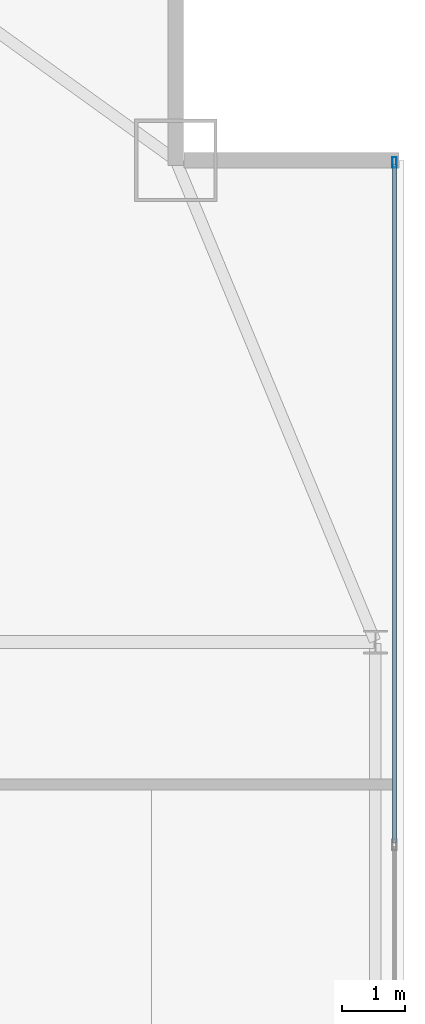
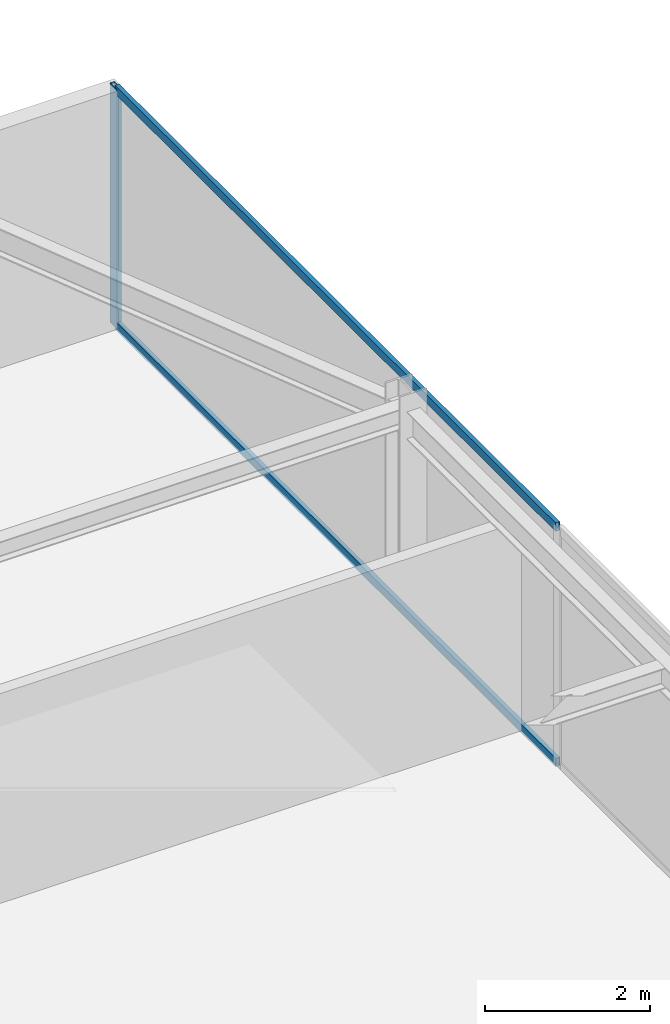
# One storey, part 22 of 31: 3 members, 1 element without a shape of its own.
"""IFC4 building model written with IfcOpenShell, lengths in metres."""

from ifc_helpers import new_model, si_unit, direction, frame, origin, origin_2d, place, context, subcontext, project, spatial, hollow_rectangle, extrude, source, transform, mapped, material, layer, layer_set, material_profile, profile_set, type_object, type_shapes, element, aggregate, save


model = new_model("IFC4")

# Units and contexts
model_context = context("Model", 3, precision=1e-05, world=origin(), true_north=direction((0.0, 1.0)))
body_context = subcontext(model_context, "Body", "Model", "MODEL_VIEW")
ifc_project = project(units=[si_unit("LENGTHUNIT", "METRE"), si_unit("AREAUNIT", "SQUARE_METRE"), si_unit("VOLUMEUNIT", "CUBIC_METRE"), si_unit("PLANEANGLEUNIT", "RADIAN"), si_unit("MASSUNIT", "GRAM", prefix="KILO")], contexts=[model_context])

# Site, building, storey
site_placement = place(None, origin())
site = spatial("IfcSite", under=ifc_project, at=site_placement, CompositionType="ELEMENT")
building_placement = place(site_placement, origin())
building = spatial("IfcBuilding", under=site, at=building_placement, Name="Varnel Quay Broadcast Tower", CompositionType="ELEMENT")
storey_placement = place(building_placement, frame((0.0, 0.0, 153.39990234375)))
storey = spatial("IfcBuildingStorey", under=building, at=storey_placement, Name="L37", CompositionType="ELEMENT", Elevation=153.39990234375)

# Curtain wall, members
ifc_material = material(Name="Anodised Bronze Aluminium 6063-T6", Category="aluminium")
ifc_layer = layer(ifc_material, 0.18994140625, Name="Anodised Bronze Aluminium 6063-T6")
ifc_layer_set = layer_set([ifc_layer], Name="Anodised Bronze Aluminium 6063-T6")
curtain_wall_type = type_object("IfcCurtainWallType", Name="CW_UpperTower", PredefinedType="NOTDEFINED", material=ifc_layer_set)
curtain_wall_placement = place(storey_placement, origin())
curtain_wall = element("IfcCurtainWall", 1, at=curtain_wall_placement, inside=storey, type_object=curtain_wall_type, Name="L37 East Unitised Curtain Wall", PredefinedType="NOTDEFINED")
ifc_material_profile_1 = material_profile(ifc_material, hollow_rectangle(XDim=0.06494140625, YDim=0.1650390625, WallThickness=0.00341796875, at=origin_2d()), Name="ALU65X165X3.5")
ifc_profile_set_1 = profile_set([ifc_material_profile_1], Name="Anodised Bronze Aluminium 6063-T6")
member_type_1 = type_object("IfcMemberType", Name="Mull_CWS-03", PredefinedType="MULLION", material=ifc_profile_set_1)
shared_shape_1 = source(origin(), body_context, "Body", "SweptSolid", [
    extrude(hollow_rectangle(XDim=0.06494140625, YDim=0.1650390625, WallThickness=0.00341796875, at=origin_2d()), origin(), (0.0, 0.0, 1.0), 3.550048828125),
])
type_shapes(member_type_1, [shared_shape_1])
member_1_placement = place(storey_placement, frame((60.85009765625, 43.16748046875, 0.0), z_axis=(0.0, 0.0, 1.0), x_axis=(-1.0, 0.0, 0.0)))
member_1 = element("IfcMember", 2, at=member_1_placement, type_object=member_type_1, Name="CWS-03 mullion 4", PredefinedType="MULLION", context=body_context, shape_type="MappedRepresentation", body=[
    mapped(shared_shape_1, transform((0.0, 0.0, 0.0), x_axis=(1.0, 0.0, 0.0), y_axis=(0.0, 1.0, 0.0), z_axis=(0.0, 0.0, 1.0), scale=1.0)),
])
ifc_material_profile_2 = material_profile(ifc_material, hollow_rectangle(XDim=0.06005859375, YDim=0.125, WallThickness=0.0029296875, at=origin_2d()), Name="ALU60X125X3")
ifc_profile_set_2 = profile_set([ifc_material_profile_2], Name="Anodised Bronze Aluminium 6063-T6")
member_type_2 = type_object("IfcMemberType", Name="Tran_CWS-03", PredefinedType="USERDEFINED", material=ifc_profile_set_2)
shared_shape_2 = source(origin(), body_context, "Body", "SweptSolid", [
    extrude(hollow_rectangle(XDim=0.06005859375, YDim=0.125, WallThickness=0.0029296875, at=origin_2d()), origin(), (0.0, 0.0, 1.0), 10.702392578125),
])
type_shapes(member_type_2, [shared_shape_2])
member_2_placement = place(storey_placement, frame((60.85009765625, 32.4326171875, 0.030029296875), z_axis=(0.0, 1.0, 0.0), x_axis=(-1.0, 0.0, 0.0)))
member_2 = element("IfcMember", 3, at=member_2_placement, type_object=member_type_2, Name="CWS-03 transom 3.1", ObjectType="TRANSOM", PredefinedType="USERDEFINED", context=body_context, shape_type="MappedRepresentation", body=[
    mapped(shared_shape_2, transform((0.0, 0.0, 0.0), x_axis=(1.0, 0.0, 0.0), y_axis=(0.0, 1.0, 0.0), z_axis=(0.0, 0.0, 1.0), scale=1.0)),
])
member_3_placement = place(storey_placement, frame((60.85009765625, 32.4326171875, 3.52001953125), z_axis=(0.0, 1.0, 0.0), x_axis=(-1.0, 0.0, 0.0)))
member_3 = element("IfcMember", 4, at=member_3_placement, type_object=member_type_2, Name="CWS-03 transom 3.2", ObjectType="TRANSOM", PredefinedType="USERDEFINED", context=body_context, shape_type="MappedRepresentation", body=[
    mapped(shared_shape_2, transform((0.0, 0.0, 0.0), x_axis=(1.0, 0.0, 0.0), y_axis=(0.0, 1.0, 0.0), z_axis=(0.0, 0.0, 1.0), scale=1.0)),
])
aggregate(curtain_wall, [member_1, member_2, member_3])

save(model, "model.ifc")
